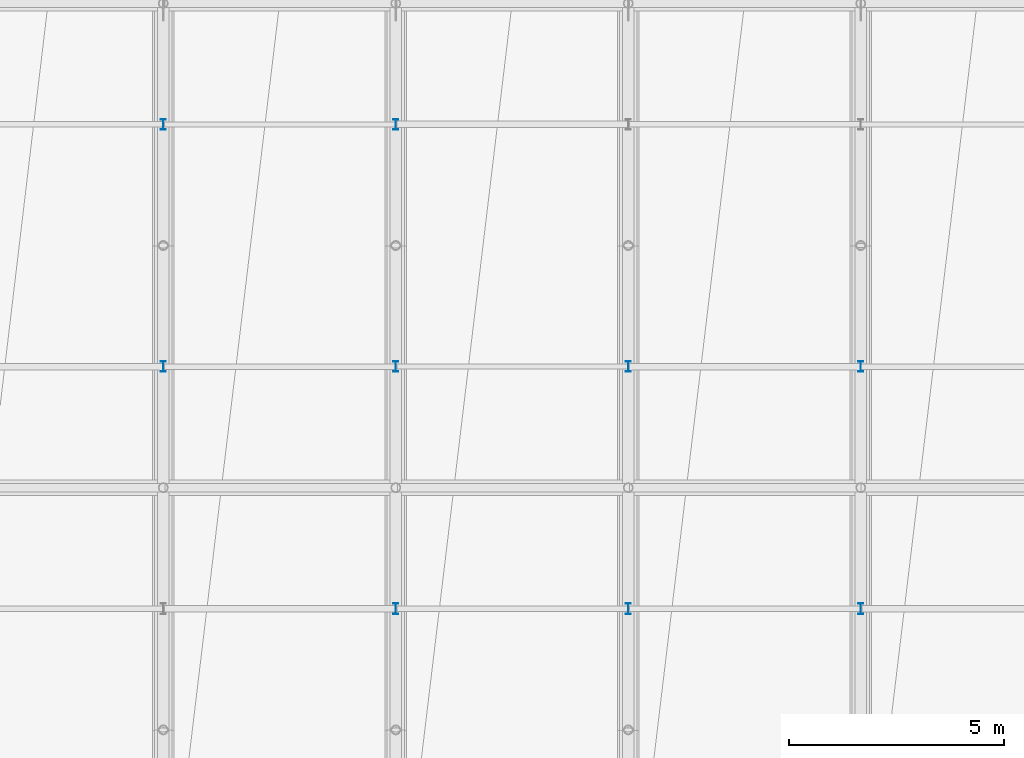
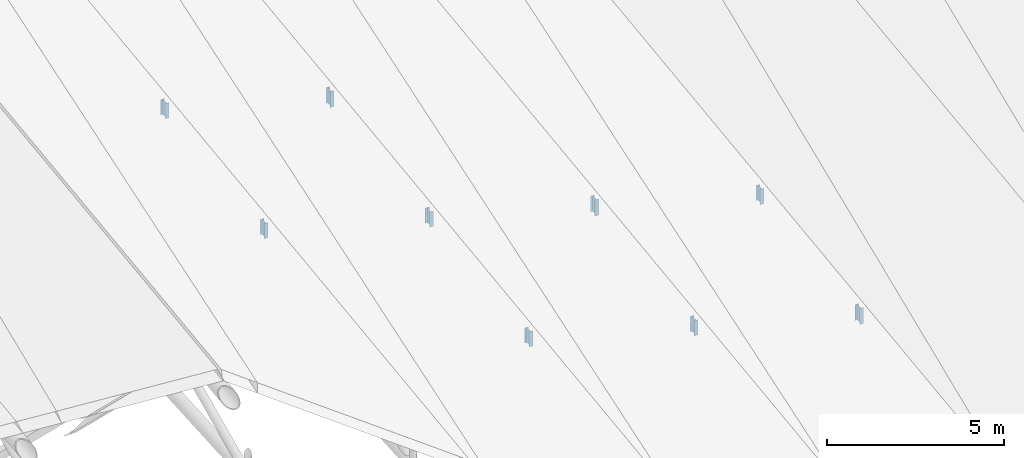
# One storey, part 57 of 109: 9 members.
"""IFC4 building model written with IfcOpenShell, lengths in metres."""

from ifc_helpers import new_model, si_unit, direction, frame, origin, origin_2d, place, context, subcontext, project, spatial, i_section, extrude, material, material_profile, profile_set, type_object, element, save


model = new_model("IFC4")

# Units and contexts
model_context = context("Model", 3, precision=1e-05, world=origin(), true_north=direction((0.0, 1.0)))
body_context = subcontext(model_context, "Body", "Model", "MODEL_VIEW")
ifc_project = project(units=[si_unit("LENGTHUNIT", "METRE"), si_unit("AREAUNIT", "SQUARE_METRE"), si_unit("VOLUMEUNIT", "CUBIC_METRE"), si_unit("PLANEANGLEUNIT", "RADIAN"), si_unit("MASSUNIT", "GRAM", prefix="KILO")], contexts=[model_context])

# Site, building, storey
site_placement = place(None, origin())
site = spatial("IfcSite", under=ifc_project, at=site_placement, CompositionType="ELEMENT")
building_placement = place(site_placement, origin())
building = spatial("IfcBuilding", under=site, at=building_placement, Name="Suirenkawa Promenade Aquatics Centre", CompositionType="ELEMENT")
storey_placement = place(building_placement, frame((0.0, 0.0, 22.800048828125)))
storey = spatial("IfcBuildingStorey", under=building, at=storey_placement, Name="ROOF", CompositionType="ELEMENT", Elevation=22.800048828125)

# Members
ifc_material = material(Name="Steel IS 2062 E350 (Grade 350)", Category="steel")
ifc_material_profile = material_profile(ifc_material, i_section(OverallWidth=0.125, OverallDepth=0.25, WebThickness=0.007080078125, FlangeThickness=0.012939453125, at=origin_2d()), Name="ISMB 250", Category="steel")
ifc_profile_set = profile_set([ifc_material_profile], Name="Steel IS 2062 E350 (Grade 350)")
member_type = type_object("IfcMemberType", Name="MT-WEB-CHS168", PredefinedType="BRACE", material=ifc_profile_set)
member_1_placement = place(storey_placement, frame((73.800048828125, 64.462890625, -8.906982421875), z_axis=(0.0, 0.0, 1.0), x_axis=(1.0, 0.0, 0.0)))
element("IfcMember", 1, at=member_1_placement, inside=storey, type_object=member_type, Name="ROOF TRUSS Purlin cleat post TD-03 MB-1838", PredefinedType="BRACE", context=body_context, shape_type="SweptSolid", body=[
    extrude(i_section(OverallWidth=0.125, OverallDepth=0.25, WebThickness=0.007080078125, FlangeThickness=0.012939453125, at=origin_2d()), origin(), (0.0, 0.0, 1.0), 0.51904296875),
])
member_2_placement = place(storey_placement, frame((73.800048828125, 70.087890625, -8.18212890625), z_axis=(0.0, 0.0, 1.0), x_axis=(1.0, 0.0, 0.0)))
element("IfcMember", 2, at=member_2_placement, inside=storey, type_object=member_type, Name="ROOF TRUSS Purlin cleat post TD-03 MB-1840", PredefinedType="BRACE", context=body_context, shape_type="SweptSolid", body=[
    extrude(i_section(OverallWidth=0.125, OverallDepth=0.25, WebThickness=0.007080078125, FlangeThickness=0.012939453125, at=origin_2d()), origin(), (0.0, 0.0, 1.0), 0.52099609375),
])
member_3_placement = place(storey_placement, frame((79.199951171875, 58.8369140625, -11.133056640625), z_axis=(0.0, 0.0, 1.0), x_axis=(1.0, 0.0, 0.0)))
element("IfcMember", 3, at=member_3_placement, inside=storey, type_object=member_type, Name="ROOF TRUSS Purlin cleat post TD-03 MB-1872", PredefinedType="BRACE", context=body_context, shape_type="SweptSolid", body=[
    extrude(i_section(OverallWidth=0.125, OverallDepth=0.25, WebThickness=0.007080078125, FlangeThickness=0.012939453125, at=origin_2d()), origin(), (0.0, 0.0, 1.0), 0.52001953125),
])
member_4_placement = place(storey_placement, frame((79.199951171875, 64.462890625, -10.406982421875), z_axis=(0.0, 0.0, 1.0), x_axis=(1.0, 0.0, 0.0)))
element("IfcMember", 4, at=member_4_placement, inside=storey, type_object=member_type, Name="ROOF TRUSS Purlin cleat post TD-03 MB-1874", PredefinedType="BRACE", context=body_context, shape_type="SweptSolid", body=[
    extrude(i_section(OverallWidth=0.125, OverallDepth=0.25, WebThickness=0.007080078125, FlangeThickness=0.012939453125, at=origin_2d()), origin(), (0.0, 0.0, 1.0), 0.52099609375),
])
member_5_placement = place(storey_placement, frame((79.199951171875, 70.087890625, -9.68212890625), z_axis=(0.0, 0.0, 1.0), x_axis=(1.0, 0.0, 0.0)))
element("IfcMember", 5, at=member_5_placement, inside=storey, type_object=member_type, Name="ROOF TRUSS Purlin cleat post TD-03 MB-1876", PredefinedType="BRACE", context=body_context, shape_type="SweptSolid", body=[
    extrude(i_section(OverallWidth=0.125, OverallDepth=0.25, WebThickness=0.007080078125, FlangeThickness=0.012939453125, at=origin_2d()), origin(), (0.0, 0.0, 1.0), 0.546142578125),
])
member_6_placement = place(storey_placement, frame((84.60009765625, 58.8369140625, -12.633056640625), z_axis=(0.0, 0.0, 1.0), x_axis=(1.0, 0.0, 0.0)))
element("IfcMember", 6, at=member_6_placement, inside=storey, type_object=member_type, Name="ROOF TRUSS Purlin cleat post TD-03 MB-1908", PredefinedType="BRACE", context=body_context, shape_type="SweptSolid", body=[
    extrude(i_section(OverallWidth=0.125, OverallDepth=0.25, WebThickness=0.007080078125, FlangeThickness=0.012939453125, at=origin_2d()), origin(), (0.0, 0.0, 1.0), 0.52099609375),
])
member_7_placement = place(storey_placement, frame((84.60009765625, 64.462890625, -11.906982421875), z_axis=(0.0, 0.0, 1.0), x_axis=(1.0, 0.0, 0.0)))
element("IfcMember", 7, at=member_7_placement, inside=storey, type_object=member_type, Name="ROOF TRUSS Purlin cleat post TD-03 MB-1910", PredefinedType="BRACE", context=body_context, shape_type="SweptSolid", body=[
    extrude(i_section(OverallWidth=0.125, OverallDepth=0.25, WebThickness=0.007080078125, FlangeThickness=0.012939453125, at=origin_2d()), origin(), (0.0, 0.0, 1.0), 0.5458984375),
])
member_8_placement = place(storey_placement, frame((90.0, 58.8369140625, -14.133056640625), z_axis=(0.0, 0.0, 1.0), x_axis=(1.0, 0.0, 0.0)))
element("IfcMember", 8, at=member_8_placement, inside=storey, type_object=member_type, Name="ROOF TRUSS Purlin cleat post TD-03 MB-1944", PredefinedType="BRACE", context=body_context, shape_type="SweptSolid", body=[
    extrude(i_section(OverallWidth=0.125, OverallDepth=0.25, WebThickness=0.007080078125, FlangeThickness=0.012939453125, at=origin_2d()), origin(), (0.0, 0.0, 1.0), 0.547119140625),
])
member_9_placement = place(storey_placement, frame((90.0, 64.462890625, -13.406982421875), z_axis=(0.0, 0.0, 1.0), x_axis=(1.0, 0.0, 0.0)))
element("IfcMember", 9, at=member_9_placement, inside=storey, type_object=member_type, Name="ROOF TRUSS Purlin cleat post TD-03 MB-1946", PredefinedType="BRACE", context=body_context, shape_type="SweptSolid", body=[
    extrude(i_section(OverallWidth=0.125, OverallDepth=0.25, WebThickness=0.007080078125, FlangeThickness=0.012939453125, at=origin_2d()), origin(), (0.0, 0.0, 1.0), 0.51904296875),
])

save(model, "model.ifc")
